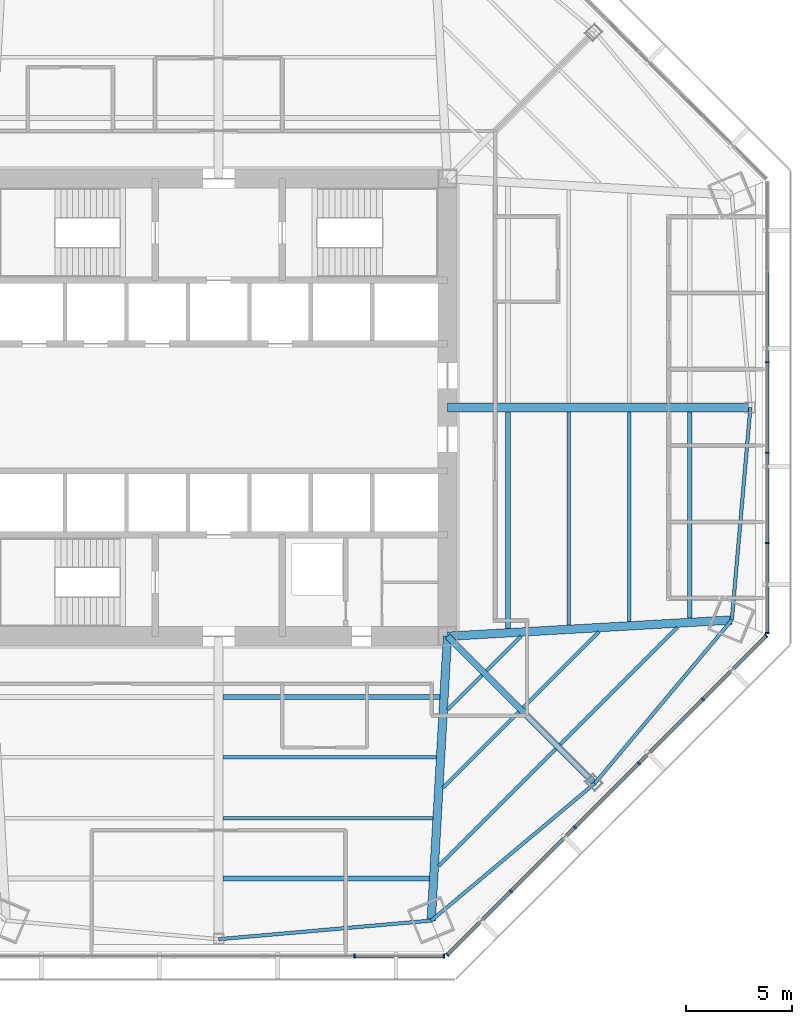
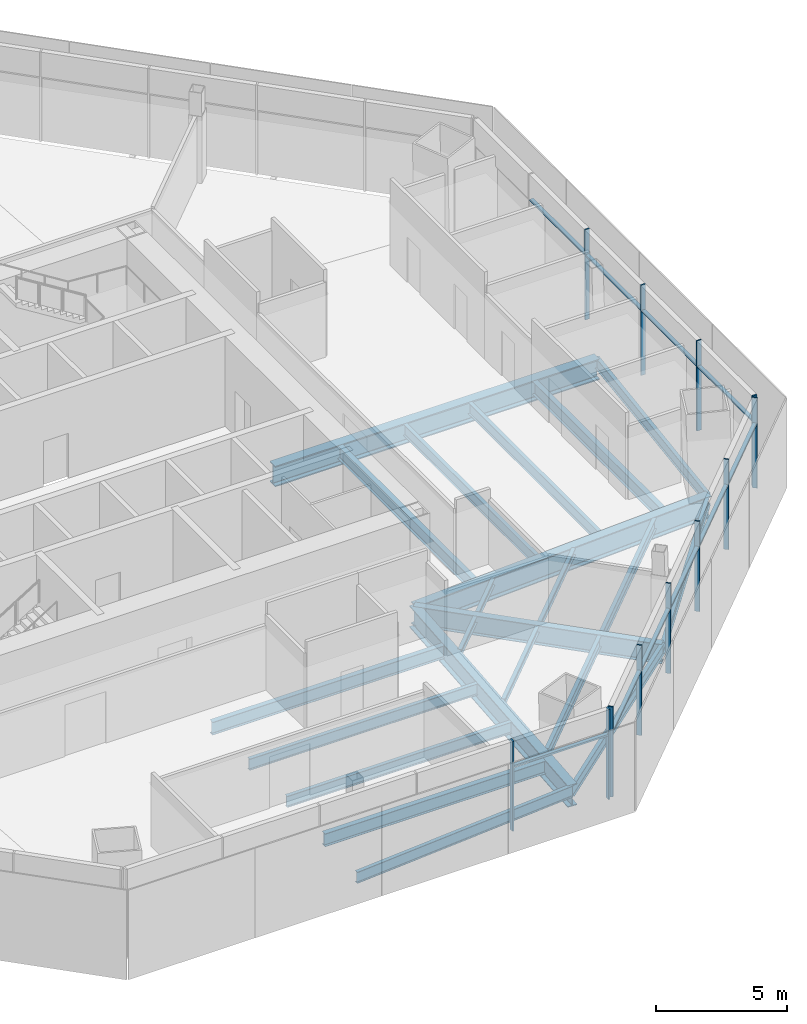
# One storey, part 4 of 15: 22 beams, 22 members, 3 elements without a shape of their own.
"""IFC4 building model written with IfcOpenShell, lengths in metres."""

import ifcopenshell
import ifcopenshell.guid

model = None  # the IFC model being written
_history = None  # IfcOwnerHistory: only IFC2X3 demands one
_inside = {}  # id of a spatial element -> (the spatial element, [elements in it])
_under = {}  # id of a project, library or spatial element -> (it, [spatial elements below it])
_declared = {}  # id of a project -> (the project, [libraries it declares])
_typed = {}  # id of a type object -> (the type object, [elements of that type])
_made_of = {}  # id of a material, layer set ... -> (it, [elements and type objects made of it])


def new_model(schema):
    """Start an empty IFC model of exactly this schema.

    Asked for "IFC4X3", IfcOpenShell would pick the latest addendum, in which some entities
    have other attributes; the version numbers below select the first issue.
    IFC2X3 requires an IfcOwnerHistory on every rooted entity: one is made here for all.
    """
    global model, _history
    if schema == "IFC4X3":
        model = ifcopenshell.file(schema_version=(4, 3, 0, 0))
    else:
        model = ifcopenshell.file(schema=schema)
    _inside.clear()
    _under.clear()
    _declared.clear()
    _typed.clear()
    _made_of.clear()
    _history = None
    if model.schema == "IFC2X3":
        org = make("IfcOrganization", Name="unknown")
        user = make(
            "IfcPersonAndOrganization",
            ThePerson=make("IfcPerson", FamilyName="unknown"),
            TheOrganization=org,
        )
        app = make(
            "IfcApplication",
            ApplicationDeveloper=org,
            Version="unknown",
            ApplicationFullName="unknown",
            ApplicationIdentifier="unknown",
        )
        _history = make(
            "IfcOwnerHistory",
            OwningUser=user,
            OwningApplication=app,
            ChangeAction="ADDED",
            CreationDate=0,
        )
    return model


def make(cls, **values):
    """One entity of the class cls with the attributes given. An attribute that is None is left unset."""
    return model.create_entity(
        cls, **{name: value for name, value in values.items() if value is not None}
    )


def rooted(cls, **values):
    """An entity with a GlobalId (a new one), such as an element, a storey or a relation."""
    return make(cls, GlobalId=ifcopenshell.guid.new(), OwnerHistory=_history, **values)


def si_unit(unit_type, name, prefix=None):
    """IfcSIUnit, for example si_unit("LENGTHUNIT", "METRE", prefix="MILLI")."""
    return make("IfcSIUnit", UnitType=unit_type, Prefix=prefix, Name=name)


def assignment(units):
    """IfcUnitAssignment: the units of a project."""
    return None if units is None else make("IfcUnitAssignment", Units=units)


def point(xyz):
    """IfcCartesianPoint."""
    return None if xyz is None else make("IfcCartesianPoint", Coordinates=xyz)


def direction(xyz):
    """IfcDirection."""
    return None if xyz is None else make("IfcDirection", DirectionRatios=xyz)


def frame(location, z_axis=None, x_axis=None):
    """IfcAxis2Placement3D, a coordinate frame: its origin and axes. An axis left out is left unset."""
    return make(
        "IfcAxis2Placement3D",
        Location=point(location),
        Axis=direction(z_axis),
        RefDirection=direction(x_axis),
    )


def frame_2d(location, x_axis=None):
    """IfcAxis2Placement2D, a coordinate frame in the plane: its origin and x axis."""
    return make(
        "IfcAxis2Placement2D", Location=point(location), RefDirection=direction(x_axis)
    )


def origin():
    """The frame at (0, 0, 0) with its axes left unset."""
    return frame((0.0, 0.0, 0.0))


def origin_2d():
    """The frame at (0, 0) in the plane with its x axis left unset."""
    return frame_2d((0.0, 0.0))


def place(relative_to, where):
    """IfcLocalPlacement: puts the frame where relative to a parent placement (None: the world)."""
    return make(
        "IfcLocalPlacement", PlacementRelTo=relative_to, RelativePlacement=where
    )


def context(
    kind, dimensions, precision=None, world=None, true_north=None, identifier=None
):
    """IfcGeometricRepresentationContext, for example the 3D "Model" context."""
    return make(
        "IfcGeometricRepresentationContext",
        ContextIdentifier=identifier,
        ContextType=kind,
        CoordinateSpaceDimension=dimensions,
        Precision=precision,
        WorldCoordinateSystem=world,
        TrueNorth=true_north,
    )


def subcontext(parent, identifier, kind, view, scale=None):
    """IfcGeometricRepresentationSubContext, for example "Body" below "Model"."""
    return make(
        "IfcGeometricRepresentationSubContext",
        ContextIdentifier=identifier,
        ContextType=kind,
        ParentContext=parent,
        TargetScale=scale,
        TargetView=view,
    )


def project(units=None, contexts=None):
    """IfcProject with its units and contexts."""
    return rooted(
        "IfcProject",
        Name="project",
        RepresentationContexts=contexts,
        UnitsInContext=assignment(units),
    )


def spatial(cls, under=None, at=None, **own):
    """A site, building, storey or space (cls), placed at a placement, below another one or the project."""
    s = rooted(cls, ObjectPlacement=at, **own)
    if under is not None:
        _under.setdefault(under.id(), (under, []))[1].append(s)
    return s


def profile(cls, at=None, kind="AREA", **sizes):
    """A parametric profile (cls). Its sizes go by their IFC names, for example OverallWidth=200.0."""
    return make(cls, ProfileType=kind, Position=at, **sizes)


def rectangle(**sizes):
    """IfcRectangleProfileDef."""
    return profile("IfcRectangleProfileDef", **sizes)


def i_section(**sizes):
    """IfcIShapeProfileDef."""
    return profile("IfcIShapeProfileDef", **sizes)


def extrude(swept, where, along, depth):
    """IfcExtrudedAreaSolid: the profile swept, set in the frame where, extruded along a direction by depth."""
    return make(
        "IfcExtrudedAreaSolid",
        SweptArea=swept,
        Position=where,
        ExtrudedDirection=direction(along),
        Depth=depth,
    )


def shape(context_of_items, identifier, shape_type, items):
    """IfcShapeRepresentation: the items that make up one representation, for example the "Body"."""
    return make(
        "IfcShapeRepresentation",
        ContextOfItems=context_of_items,
        RepresentationIdentifier=identifier,
        RepresentationType=shape_type,
        Items=items,
    )


def source(mapping_origin, context_of_items, identifier, shape_type, items):
    """IfcRepresentationMap: a shape defined once, which mapped items show again and again."""
    return make(
        "IfcRepresentationMap",
        MappingOrigin=mapping_origin,
        MappedRepresentation=shape(context_of_items, identifier, shape_type, items),
    )


def transform(
    local_origin,
    x_axis=None,
    y_axis=None,
    z_axis=None,
    scale=None,
    scale2=None,
    scale3=None,
    uniform=True,
):
    """IfcCartesianTransformationOperator3D, or its non-uniform kind. x_axis, y_axis, z_axis: its Axis1, 2, 3."""
    if uniform:
        return make(
            "IfcCartesianTransformationOperator3D",
            Axis1=direction(x_axis),
            Axis2=direction(y_axis),
            LocalOrigin=point(local_origin),
            Scale=scale,
            Axis3=direction(z_axis),
        )
    return make(
        "IfcCartesianTransformationOperator3DnonUniform",
        Axis1=direction(x_axis),
        Axis2=direction(y_axis),
        LocalOrigin=point(local_origin),
        Scale=scale,
        Axis3=direction(z_axis),
        Scale2=scale2,
        Scale3=scale3,
    )


def mapped(mapping_source, mapping_target):
    """IfcMappedItem: shows the shape of a source again, moved by a transform."""
    return make(
        "IfcMappedItem", MappingSource=mapping_source, MappingTarget=mapping_target
    )


def material(Name=None, Category=None):
    """IfcMaterial."""
    return make("IfcMaterial", Name=Name, Category=Category)


def material_profile(
    of_material, cross_section, Name=None, Category=None, Priority=None
):
    """IfcMaterialProfile: a cross section and its material."""
    return make(
        "IfcMaterialProfile",
        Name=Name,
        Material=of_material,
        Profile=cross_section,
        Priority=Priority,
        Category=Category,
    )


def profile_set(profiles, Name=None, composite=None):
    """IfcMaterialProfileSet."""
    return make(
        "IfcMaterialProfileSet",
        Name=Name,
        MaterialProfiles=profiles,
        CompositeProfile=composite,
    )


def made_of(thing, what):
    """Note that an element or type object is made of a material, layer set ...; save() writes the relation."""
    if what is not None:
        _made_of.setdefault(what.id(), (what, []))[1].append(thing)
    return thing


def type_object(cls, material=None, **own):
    """A type object (cls), such as IfcWallType, which elements share."""
    return made_of(rooted(cls, **own), material)


def type_shapes(of_type, sources):
    """Give a type object the sources (RepresentationMaps) that its elements show as mapped items."""
    of_type.RepresentationMaps = sources


def element(
    cls,
    number,
    at=None,
    inside=None,
    cuts=None,
    type_object=None,
    material=None,
    context=None,
    identifier="Body",
    shape_type=None,
    held_by="IfcProductDefinitionShape",
    body=None,
    shapes=None,
    **own,
):
    """One element of the class cls, such as IfcWall. Its Tag is "e" and its number.

    at: its placement. inside: the storey or other place that contains it. cuts: it is an
    opening in that element (IfcRelVoidsElement). A single representation is given by context,
    identifier, shape_type and body (its items); several are given by shapes. held_by: the class
    of the entity that holds the representations. save() writes the other relations.
    """
    e = rooted(cls, Tag="e%d" % number, ObjectPlacement=at, **own)
    if body is not None:
        shapes = [shape(context, identifier, shape_type, body)]
    if shapes is not None:
        e.Representation = make(held_by, Representations=shapes)
    if inside is not None:
        _inside.setdefault(inside.id(), (inside, []))[1].append(e)
    if cuts is not None:
        rooted(
            "IfcRelVoidsElement", RelatingBuildingElement=cuts, RelatedOpeningElement=e
        )
    if type_object is not None:
        _typed.setdefault(type_object.id(), (type_object, []))[1].append(e)
    return made_of(e, material)


def aggregate(whole, parts):
    """IfcRelAggregates: a whole, such as a stair, and the parts it consists of."""
    return rooted("IfcRelAggregates", RelatingObject=whole, RelatedObjects=parts)


def save(model, path):
    """Write the relations noted so far, then the file.

    IfcRelAggregates (storeys below a building ...), IfcRelContainedInSpatialStructure (elements
    in a storey), IfcRelDefinesByType, IfcRelAssociatesMaterial and IfcRelDeclares: one each for
    every whole, place, type object, material and project.
    """
    for whole, parts in _under.values():
        aggregate(whole, parts)
    for where, things in _inside.values():
        rooted(
            "IfcRelContainedInSpatialStructure",
            RelatedElements=things,
            RelatingStructure=where,
        )
    for kind, things in _typed.values():
        rooted("IfcRelDefinesByType", RelatedObjects=things, RelatingType=kind)
    for what, things in _made_of.values():
        rooted("IfcRelAssociatesMaterial", RelatedObjects=things, RelatingMaterial=what)
    for by, libraries in _declared.values():
        rooted("IfcRelDeclares", RelatingContext=by, RelatedDefinitions=libraries)
    model.write(path)


model = new_model("IFC4")

# Units and contexts
model_context = context("Model", 3, precision=1e-05, world=origin(), true_north=direction((0.0, 1.0)))
body_context = subcontext(model_context, "Body", "Model", "MODEL_VIEW")
ifc_project = project(units=[si_unit("LENGTHUNIT", "METRE"), si_unit("AREAUNIT", "SQUARE_METRE"), si_unit("VOLUMEUNIT", "CUBIC_METRE"), si_unit("PLANEANGLEUNIT", "RADIAN"), si_unit("MASSUNIT", "GRAM", prefix="KILO")], contexts=[model_context])

# Site, building, storey
site_placement = place(None, origin())
site = spatial("IfcSite", under=ifc_project, at=site_placement, CompositionType="ELEMENT")
building_placement = place(site_placement, origin())
building = spatial("IfcBuilding", under=site, at=building_placement, Name="Mashrafa Tower", CompositionType="ELEMENT")
storey_placement = place(building_placement, frame((0.0, 0.0, 75.0)))
storey = spatial("IfcBuildingStorey", under=building, at=storey_placement, Name="L16", CompositionType="ELEMENT", Elevation=75.0)

# Beams
ifc_material_1 = material(Name="Steel ASTM A992", Category="steel")
ifc_material_profile_1 = material_profile(ifc_material_1, i_section(OverallWidth=0.164794921875, OverallDepth=0.309814453125, WebThickness=0.005859375, FlangeThickness=0.009765625, FilletRadius=0.007568359375, at=origin_2d()), Name="W12X26")
ifc_profile_set_1 = profile_set([ifc_material_profile_1], Name="Steel ASTM A992")
beam_type_1 = type_object("IfcBeamType", Name="Beam W12X26", PredefinedType="BEAM", material=ifc_profile_set_1)
beam_1_placement = place(storey_placement, frame((12.428955078125, -12.64453125, -0.31982421875), z_axis=(-0.707106781187, -0.707106781187, 0.0), x_axis=(0.707106781187, -0.707106781187, 0.0)))
element("IfcBeam", 1, at=beam_1_placement, inside=storey, type_object=beam_type_1, Name="Floor beam L16 040", PredefinedType="BEAM", context=body_context, shape_type="SweptSolid", body=[
    extrude(i_section(OverallWidth=0.164794921875, OverallDepth=0.309814453125, WebThickness=0.005859375, FlangeThickness=0.009765625, FilletRadius=0.007568359375, at=origin_2d()), origin(), (0.0, 0.0, 1.0), 2.300048828125),
])
beam_2_placement = place(storey_placement, frame((14.16552734375, -14.381103515625, -0.31982421875), z_axis=(-0.707106781187, -0.707106781187, 0.0), x_axis=(0.707106781187, -0.707106781187, 0.0)))
element("IfcBeam", 2, at=beam_2_placement, inside=storey, type_object=beam_type_1, Name="Floor beam L16 044", PredefinedType="BEAM", context=body_context, shape_type="SweptSolid", body=[
    extrude(i_section(OverallWidth=0.164794921875, OverallDepth=0.309814453125, WebThickness=0.005859375, FlangeThickness=0.009765625, FilletRadius=0.007568359375, at=origin_2d()), origin(), (0.0, 0.0, 1.0), 5.054443359375),
])
beam_3_placement = place(storey_placement, frame((14.27099609375, -10.802490234375, -0.31982421875), z_axis=(-0.707106781187, -0.707106781187, 0.0), x_axis=(0.707106781187, -0.707106781187, 0.0)))
element("IfcBeam", 3, at=beam_3_placement, inside=storey, type_object=beam_type_1, Name="Floor beam L16 046", PredefinedType="BEAM", context=body_context, shape_type="SweptSolid", body=[
    extrude(i_section(OverallWidth=0.164794921875, OverallDepth=0.309814453125, WebThickness=0.005859375, FlangeThickness=0.009765625, FilletRadius=0.007568359375, at=origin_2d()), origin(), (0.0, 0.0, 1.0), 2.300048828125),
])
beam_4_placement = place(storey_placement, frame((17.955078125, -10.591552734375, -0.31982421875), z_axis=(-0.707106781187, -0.707106781187, 0.0), x_axis=(0.707106781187, -0.707106781187, 0.0)))
element("IfcBeam", 4, at=beam_4_placement, inside=storey, type_object=beam_type_1, Name="Floor beam L16 051", PredefinedType="BEAM", context=body_context, shape_type="SweptSolid", body=[
    extrude(i_section(OverallWidth=0.164794921875, OverallDepth=0.309814453125, WebThickness=0.005859375, FlangeThickness=0.009765625, FilletRadius=0.007568359375, at=origin_2d()), origin(), (0.0, 0.0, 1.0), 5.054443359375),
])
ifc_material_2 = material(Name="Steel ASTM A992", Category="steel")
ifc_material_profile_2 = material_profile(ifc_material_2, i_section(OverallWidth=0.165771484375, OverallDepth=0.5283203125, WebThickness=0.009765625, FlangeThickness=0.013671875, FilletRadius=0.012939453125, at=origin_2d()), Name="W21X50")
ifc_profile_set_2 = profile_set([ifc_material_profile_2], Name="Steel ASTM A992")
beam_type_2 = type_object("IfcBeamType", Name="Beam W21X50", PredefinedType="BEAM", material=ifc_profile_set_2)
beam_5_placement = place(storey_placement, frame((10.108154296875, -19.378662109375, -0.42919921875), z_axis=(-1.0, 0.0, 0.0), x_axis=(0.0, -1.0, 0.0)))
element("IfcBeam", 5, at=beam_5_placement, inside=storey, type_object=beam_type_2, Name="Floor beam L16 035", PredefinedType="BEAM", context=body_context, shape_type="SweptSolid", body=[
    extrude(i_section(OverallWidth=0.165771484375, OverallDepth=0.5283203125, WebThickness=0.009765625, FlangeThickness=0.013671875, FilletRadius=0.012939453125, at=origin_2d()), origin(), (0.0, 0.0, 1.0), 9.89599609375),
])
beam_6_placement = place(storey_placement, frame((10.271728515625, -16.51904296875, -0.42919921875), z_axis=(-1.0, 0.0, 0.0), x_axis=(0.0, -1.0, 0.0)))
element("IfcBeam", 6, at=beam_6_placement, inside=storey, type_object=beam_type_2, Name="Floor beam L16 037", PredefinedType="BEAM", context=body_context, shape_type="SweptSolid", body=[
    extrude(i_section(OverallWidth=0.165771484375, OverallDepth=0.5283203125, WebThickness=0.009765625, FlangeThickness=0.013671875, FilletRadius=0.012939453125, at=origin_2d()), origin(), (0.0, 0.0, 1.0), 10.0595703125),
])
beam_7_placement = place(storey_placement, frame((15.90234375, -16.117919921875, -0.42919921875), z_axis=(-0.707122413556, -0.707091148472, 0.0), x_axis=(0.707091148472, -0.707122413556, 0.0)))
element("IfcBeam", 7, at=beam_7_placement, inside=storey, type_object=beam_type_2, Name="Floor beam L16 047", PredefinedType="BEAM", context=body_context, shape_type="SweptSolid", body=[
    extrude(i_section(OverallWidth=0.165771484375, OverallDepth=0.5283203125, WebThickness=0.009765625, FlangeThickness=0.013671875, FilletRadius=0.012939453125, at=origin_2d()), origin(), (0.0, 0.0, 1.0), 7.808837890625),
])
beam_8_placement = place(storey_placement, frame((16.51904296875, -0.212158203125, -0.42919921875), z_axis=(0.0, -1.0, 0.0), x_axis=(1.0, 0.0, 0.0)))
element("IfcBeam", 8, at=beam_8_placement, inside=storey, type_object=beam_type_2, Name="Floor beam L16 049", PredefinedType="BEAM", context=body_context, shape_type="SweptSolid", body=[
    extrude(i_section(OverallWidth=0.165771484375, OverallDepth=0.5283203125, WebThickness=0.009765625, FlangeThickness=0.013671875, FilletRadius=0.012939453125, at=origin_2d()), origin(), (0.0, 0.0, 1.0), 10.0595703125),
])
beam_9_placement = place(storey_placement, frame((19.378662109375, -0.212158203125, -0.42919921875), z_axis=(0.0, -1.0, 0.0), x_axis=(1.0, 0.0, 0.0)))
element("IfcBeam", 9, at=beam_9_placement, inside=storey, type_object=beam_type_2, Name="Floor beam L16 052", PredefinedType="BEAM", context=body_context, shape_type="SweptSolid", body=[
    extrude(i_section(OverallWidth=0.165771484375, OverallDepth=0.5283203125, WebThickness=0.009765625, FlangeThickness=0.013671875, FilletRadius=0.012939453125, at=origin_2d()), origin(), (0.0, 0.0, 1.0), 9.89599609375),
])
beam_10_placement = place(storey_placement, frame((21.639404296875, -10.380615234375, -0.42919921875), z_axis=(-0.707091148472, -0.707122413556, 0.0), x_axis=(0.707122413556, -0.707091148472, 0.0)))
element("IfcBeam", 10, at=beam_10_placement, inside=storey, type_object=beam_type_2, Name="Floor beam L16 054", PredefinedType="BEAM", context=body_context, shape_type="SweptSolid", body=[
    extrude(i_section(OverallWidth=0.165771484375, OverallDepth=0.5283203125, WebThickness=0.009765625, FlangeThickness=0.013671875, FilletRadius=0.012939453125, at=origin_2d()), origin(), (0.0, 0.0, 1.0), 7.808837890625),
])
beam_11_placement = place(storey_placement, frame((0.0, -25.09765625, -0.42919921875), z_axis=(0.996190480079, 0.087203941419, 0.0), x_axis=(-0.087203941419, 0.996190480079, 0.0)))
element("IfcBeam", 11, at=beam_11_placement, inside=storey, type_object=beam_type_2, Name="Spandrel beam L16 080", PredefinedType="BEAM", context=body_context, shape_type="SweptSolid", body=[
    extrude(i_section(OverallWidth=0.165771484375, OverallDepth=0.5283203125, WebThickness=0.009765625, FlangeThickness=0.013671875, FilletRadius=0.012939453125, at=origin_2d()), origin(), (0.0, 0.0, 1.0), 10.0703125),
])
for number, where, z_axis, x_axis, name in (
    (12, (10.031982421875, -24.219482421875, -0.42919921875), (0.766086799727, 0.642737127669, 0.0), (-0.642737127669, 0.766086799727, 0.0), "Spandrel beam L16 082"),
    (13, (17.746826171875, -17.746826171875, -0.42919921875), (0.642737127669, 0.766086799727, 0.0), (-0.766086799727, 0.642737127669, 0.0), "Spandrel beam L16 084"),
):
    element("IfcBeam", number, at=place(storey_placement, frame(where, z_axis=z_axis, x_axis=x_axis)), inside=storey, type_object=beam_type_2, Name=name, PredefinedType="BEAM", context=body_context, shape_type="SweptSolid", body=[
        extrude(i_section(OverallWidth=0.165771484375, OverallDepth=0.5283203125, WebThickness=0.009765625, FlangeThickness=0.013671875, FilletRadius=0.012939453125, at=origin_2d()), origin(), (0.0, 0.0, 1.0), 10.070556640625),
    ])
beam_12_placement = place(storey_placement, frame((24.219482421875, -10.031982421875, -0.42919921875), z_axis=(0.087203941419, 0.996190480079, 0.0), x_axis=(-0.996190480079, 0.087203941419, 0.0)))
element("IfcBeam", 14, at=beam_12_placement, inside=storey, type_object=beam_type_2, Name="Spandrel beam L16 086", PredefinedType="BEAM", context=body_context, shape_type="SweptSolid", body=[
    extrude(i_section(OverallWidth=0.165771484375, OverallDepth=0.5283203125, WebThickness=0.009765625, FlangeThickness=0.013671875, FilletRadius=0.012939453125, at=origin_2d()), origin(), (0.0, 0.0, 1.0), 10.0703125),
])
ifc_material_3 = material(Name="Steel ASTM A992", Category="steel")
ifc_material_profile_3 = material_profile(ifc_material_3, i_section(OverallWidth=0.227783203125, OverallDepth=0.60205078125, WebThickness=0.010498046875, FlangeThickness=0.014892578125, FilletRadius=0.012939453125, at=origin_2d()), Name="W24X68")
ifc_profile_set_3 = profile_set([ifc_material_profile_3], Name="Steel ASTM A992")
beam_type_3 = type_object("IfcBeamType", Name="Beam W24X68", PredefinedType="BEAM", material=ifc_profile_set_3)
beam_13_placement = place(storey_placement, frame((9.944580078125, -22.23828125, -0.466064453125), z_axis=(-1.0, 0.0, 0.0), x_axis=(0.0, -1.0, 0.0)))
element("IfcBeam", 15, at=beam_13_placement, inside=storey, type_object=beam_type_3, Name="Floor beam L16 033", PredefinedType="BEAM", context=body_context, shape_type="SweptSolid", body=[
    extrude(i_section(OverallWidth=0.227783203125, OverallDepth=0.60205078125, WebThickness=0.010498046875, FlangeThickness=0.014892578125, FilletRadius=0.012939453125, at=origin_2d()), origin(), (0.0, 0.0, 1.0), 9.732421875),
])
for number, where, z_axis, x_axis, name in (
    (16, (10.435302734375, -13.659423828125, -0.466064453125), (-1.0, 0.0, 0.0), (0.0, -1.0, 0.0), "Floor beam L16 039"),
    (17, (13.659423828125, -0.212158203125, -0.466064453125), (0.0, -1.0, 0.0), (1.0, 0.0, 0.0), "Floor beam L16 042"),
):
    element("IfcBeam", number, at=place(storey_placement, frame(where, z_axis=z_axis, x_axis=x_axis)), inside=storey, type_object=beam_type_3, Name=name, PredefinedType="BEAM", context=body_context, shape_type="SweptSolid", body=[
        extrude(i_section(OverallWidth=0.227783203125, OverallDepth=0.60205078125, WebThickness=0.010498046875, FlangeThickness=0.014892578125, FilletRadius=0.012939453125, at=origin_2d()), origin(), (0.0, 0.0, 1.0), 10.22314453125),
    ])
beam_14_placement = place(storey_placement, frame((22.23828125, -0.212158203125, -0.466064453125), z_axis=(0.0, -1.0, 0.0), x_axis=(1.0, 0.0, 0.0)))
element("IfcBeam", 18, at=beam_14_placement, inside=storey, type_object=beam_type_3, Name="Floor beam L16 055", PredefinedType="BEAM", context=body_context, shape_type="SweptSolid", body=[
    extrude(i_section(OverallWidth=0.227783203125, OverallDepth=0.60205078125, WebThickness=0.010498046875, FlangeThickness=0.014892578125, FilletRadius=0.012939453125, at=origin_2d()), origin(), (0.0, 0.0, 1.0), 9.732421875),
])
ifc_material_4 = material(Name="Steel ASTM A992", Category="steel")
ifc_material_profile_4 = material_profile(ifc_material_4, i_section(OverallWidth=0.3046875, OverallDepth=0.911865234375, WebThickness=0.015869140625, FlangeThickness=0.02392578125, FilletRadius=0.01904296875, at=origin_2d()), Name="W36X150")
ifc_profile_set_4 = profile_set([ifc_material_profile_4], Name="Steel ASTM A992")
beam_type_4 = type_object("IfcBeamType", Name="Beam W36X150", PredefinedType="BEAM", material=ifc_profile_set_4)
beam_15_placement = place(storey_placement, frame((10.800048828125, -10.800048828125, -0.620849609375), z_axis=(0.707106781187, -0.707106781187, 0.0), x_axis=(0.707106781187, 0.707106781187, 0.0)))
element("IfcBeam", 19, at=beam_15_placement, inside=storey, type_object=beam_type_4, Name="Radial girder L16 067", PredefinedType="BEAM", context=body_context, shape_type="SweptSolid", body=[
    extrude(i_section(OverallWidth=0.3046875, OverallDepth=0.911865234375, WebThickness=0.015869140625, FlangeThickness=0.02392578125, FilletRadius=0.01904296875, at=origin_2d()), origin(), (0.0, 0.0, 1.0), 9.82421875),
])
ifc_material_5 = material(Name="Steel ASTM A992", Category="steel")
ifc_material_profile_5 = material_profile(ifc_material_5, i_section(OverallWidth=0.424072265625, OverallDepth=0.960205078125, WebThickness=0.028564453125, FlangeThickness=0.051025390625, FilletRadius=0.02001953125, at=origin_2d()), Name="W36X361")
ifc_profile_set_5 = profile_set([ifc_material_profile_5], Name="Steel ASTM A992")
beam_type_5 = type_object("IfcBeamType", Name="Beam W36X361", PredefinedType="BEAM", material=ifc_profile_set_5)
beam_16_placement = place(storey_placement, frame((10.800048828125, 0.0, -0.64501953125), z_axis=(1.0, 0.0, 0.0), x_axis=(0.0, 1.0, 0.0)))
element("IfcBeam", 20, at=beam_16_placement, inside=storey, type_object=beam_type_5, Name="Radial girder L16 069", PredefinedType="BEAM", context=body_context, shape_type="SweptSolid", body=[
    extrude(i_section(OverallWidth=0.424072265625, OverallDepth=0.960205078125, WebThickness=0.028564453125, FlangeThickness=0.051025390625, FilletRadius=0.02001953125, at=origin_2d()), origin(), (0.0, 0.0, 1.0), 14.297607421875),
])
ifc_material_6 = material(Name="Steel ASTM A992", Category="steel")
ifc_material_profile_6 = material_profile(ifc_material_6, i_section(OverallWidth=0.4013671875, OverallDepth=1.010986328125, WebThickness=0.023681640625, FlangeThickness=0.0419921875, FilletRadius=0.02001953125, at=origin_2d()), Name="W40X297")
ifc_profile_set_6 = profile_set([ifc_material_profile_6], Name="Steel ASTM A992")
beam_type_6 = type_object("IfcBeamType", Name="Beam W40X297", PredefinedType="BEAM", material=ifc_profile_set_6)
for number, where, z_axis, x_axis, name in (
    (21, (10.800048828125, -10.800048828125, -0.67041015625), (-0.0571418632, -0.99836606887, 0.0), (0.99836606887, -0.0571418632, 0.0), "Radial girder L16 066"),
    (22, (10.800048828125, -10.800048828125, -0.67041015625), (0.99836606887, 0.0571418632, 0.0), (-0.0571418632, 0.99836606887, 0.0), "Radial girder L16 068"),
):
    element("IfcBeam", number, at=place(storey_placement, frame(where, z_axis=z_axis, x_axis=x_axis)), inside=storey, type_object=beam_type_6, Name=name, PredefinedType="BEAM", context=body_context, shape_type="SweptSolid", body=[
        extrude(i_section(OverallWidth=0.4013671875, OverallDepth=1.010986328125, WebThickness=0.023681640625, FlangeThickness=0.0419921875, FilletRadius=0.02001953125, at=origin_2d()), origin(), (0.0, 0.0, 1.0), 13.44140625),
    ])

# Curtain wall, members
ifc_material_7 = material(Name="Unitised aluminium curtain wall", Category="aluminium")
curtain_wall_type = type_object("IfcCurtainWallType", Name="Office curtain wall, zone 1 CW-A 200 deep", PredefinedType="NOTDEFINED", material=ifc_material_7)
curtain_wall_1_placement = place(storey_placement, origin())
curtain_wall_1 = element("IfcCurtainWall", 23, at=curtain_wall_1_placement, inside=storey, type_object=curtain_wall_type, Name="Office curtain wall, zone 1 L16 east", PredefinedType="NOTDEFINED")
ifc_material_8 = material(Name="Extruded aluminium mullion", Category="aluminium")
ifc_material_profile_7 = material_profile(ifc_material_8, rectangle(XDim=0.199951171875, YDim=0.06494140625, at=origin_2d()), Name="Mullion 65x200")
ifc_profile_set_7 = profile_set([ifc_material_profile_7], Name="Extruded aluminium mullion")
member_type_1 = type_object("IfcMemberType", Name="Mullion CW-A 65 x 200", PredefinedType="MULLION", material=ifc_profile_set_7)
shared_shape_1 = source(origin(), body_context, "Body", "SweptSolid", [
    extrude(rectangle(XDim=0.199951171875, YDim=0.06494140625, at=origin_2d()), origin(), (0.0, 0.0, 1.0), 4.199951171875),
])
type_shapes(member_type_1, [shared_shape_1])
member_1_placement = place(storey_placement, frame((25.89306640625, -10.641357421875, 0.0), z_axis=(0.0, 0.0, 1.0), x_axis=(-1.0, 0.0, 0.0)))
member_1 = element("IfcMember", 24, at=member_1_placement, type_object=member_type_1, Name="CW-A mullion 1", PredefinedType="MULLION", context=body_context, shape_type="MappedRepresentation", body=[
    mapped(shared_shape_1, transform((0.0, 0.0, 0.0))),
])
member_2_placement = place(storey_placement, frame((25.89306640625, -6.404296875, 0.0), z_axis=(0.0, 0.0, 1.0), x_axis=(-1.0, 0.0, 0.0)))
member_2 = element("IfcMember", 25, at=member_2_placement, type_object=member_type_1, Name="CW-A mullion 2", PredefinedType="MULLION", context=body_context, shape_type="MappedRepresentation", body=[
    mapped(shared_shape_1, transform((0.0, 0.0, 0.0))),
])
member_3_placement = place(storey_placement, frame((25.89306640625, -2.134765625, 0.0), z_axis=(0.0, 0.0, 1.0), x_axis=(-1.0, 0.0, 0.0)))
member_3 = element("IfcMember", 26, at=member_3_placement, type_object=member_type_1, Name="CW-A mullion 3", PredefinedType="MULLION", context=body_context, shape_type="MappedRepresentation", body=[
    mapped(shared_shape_1, transform((0.0, 0.0, 0.0))),
])
member_4_placement = place(storey_placement, frame((25.89306640625, 2.134765625, 0.0), z_axis=(0.0, 0.0, 1.0), x_axis=(-1.0, 0.0, 0.0)))
member_4 = element("IfcMember", 27, at=member_4_placement, type_object=member_type_1, Name="CW-A mullion 4", PredefinedType="MULLION", context=body_context, shape_type="MappedRepresentation", body=[
    mapped(shared_shape_1, transform((0.0, 0.0, 0.0))),
])

curtain_wall_2_placement = place(storey_placement, origin())
curtain_wall_2 = element("IfcCurtainWall", 28, at=curtain_wall_2_placement, inside=storey, type_object=curtain_wall_type, Name="Office curtain wall, zone 1 L16 south", PredefinedType="NOTDEFINED")
member_5_placement = place(storey_placement, frame((6.404296875, -25.89306640625, 0.0), z_axis=(0.0, 0.0, 1.0), x_axis=(0.0, 1.0, 0.0)))
member_5 = element("IfcMember", 29, at=member_5_placement, type_object=member_type_1, Name="CW-A mullion 5", PredefinedType="MULLION", context=body_context, shape_type="MappedRepresentation", body=[
    mapped(shared_shape_1, transform((0.0, 0.0, 0.0))),
])
member_6_placement = place(storey_placement, frame((10.641357421875, -25.89306640625, 0.0), z_axis=(0.0, 0.0, 1.0), x_axis=(0.0, 1.0, 0.0)))
member_6 = element("IfcMember", 30, at=member_6_placement, type_object=member_type_1, Name="CW-A mullion 6", PredefinedType="MULLION", context=body_context, shape_type="MappedRepresentation", body=[
    mapped(shared_shape_1, transform((0.0, 0.0, 0.0))),
])

curtain_wall_3_placement = place(storey_placement, origin())
curtain_wall_3 = element("IfcCurtainWall", 31, at=curtain_wall_3_placement, inside=storey, type_object=curtain_wall_type, Name="Office curtain wall, zone 1 L16 south-east", PredefinedType="NOTDEFINED")
member_7_placement = place(storey_placement, frame((10.78466796875, -25.833740234375, 0.0), z_axis=(0.0, 0.0, 1.0), x_axis=(-0.707106781187, 0.707106781187, 0.0)))
member_7 = element("IfcMember", 32, at=member_7_placement, type_object=member_type_1, Name="CW-A mullion 1", PredefinedType="MULLION", context=body_context, shape_type="MappedRepresentation", body=[
    mapped(shared_shape_1, transform((0.0, 0.0, 0.0))),
])
member_8_placement = place(storey_placement, frame((13.780517578125, -22.837646484375, 0.0), z_axis=(0.0, 0.0, 1.0), x_axis=(-0.707106781187, 0.707106781187, 0.0)))
member_8 = element("IfcMember", 33, at=member_8_placement, type_object=member_type_1, Name="CW-A mullion 2", PredefinedType="MULLION", context=body_context, shape_type="MappedRepresentation", body=[
    mapped(shared_shape_1, transform((0.0, 0.0, 0.0))),
])
member_9_placement = place(storey_placement, frame((16.799560546875, -19.818603515625, 0.0), z_axis=(0.0, 0.0, 1.0), x_axis=(-0.707106781187, 0.707106781187, 0.0)))
member_9 = element("IfcMember", 34, at=member_9_placement, type_object=member_type_1, Name="CW-A mullion 3", PredefinedType="MULLION", context=body_context, shape_type="MappedRepresentation", body=[
    mapped(shared_shape_1, transform((0.0, 0.0, 0.0))),
])
member_10_placement = place(storey_placement, frame((19.818603515625, -16.799560546875, 0.0), z_axis=(0.0, 0.0, 1.0), x_axis=(-0.707106781187, 0.707106781187, 0.0)))
member_10 = element("IfcMember", 35, at=member_10_placement, type_object=member_type_1, Name="CW-A mullion 4", PredefinedType="MULLION", context=body_context, shape_type="MappedRepresentation", body=[
    mapped(shared_shape_1, transform((0.0, 0.0, 0.0))),
])
member_11_placement = place(storey_placement, frame((22.837646484375, -13.780517578125, 0.0), z_axis=(0.0, 0.0, 1.0), x_axis=(-0.707106781187, 0.707106781187, 0.0)))
member_11 = element("IfcMember", 36, at=member_11_placement, type_object=member_type_1, Name="CW-A mullion 5", PredefinedType="MULLION", context=body_context, shape_type="MappedRepresentation", body=[
    mapped(shared_shape_1, transform((0.0, 0.0, 0.0))),
])
member_12_placement = place(storey_placement, frame((25.833740234375, -10.78466796875, 0.0), z_axis=(0.0, 0.0, 1.0), x_axis=(-0.707106781187, 0.707106781187, 0.0)))
member_12 = element("IfcMember", 37, at=member_12_placement, type_object=member_type_1, Name="CW-A mullion 6", PredefinedType="MULLION", context=body_context, shape_type="MappedRepresentation", body=[
    mapped(shared_shape_1, transform((0.0, 0.0, 0.0))),
])

# Member
ifc_material_9 = material(Name="Extruded aluminium transom", Category="aluminium")
ifc_material_profile_8 = material_profile(ifc_material_9, rectangle(XDim=0.159912109375, YDim=0.080078125, at=origin_2d()), Name="Transom 80x160")
ifc_profile_set_8 = profile_set([ifc_material_profile_8], Name="Extruded aluminium transom")
member_type_2 = type_object("IfcMemberType", Name="Transom CW-A 80 x 160", PredefinedType="MULLION", material=ifc_profile_set_8)
shared_shape_2 = source(origin(), body_context, "Body", "SweptSolid", [
    extrude(rectangle(XDim=0.159912109375, YDim=0.080078125, at=origin_2d()), origin(), (0.0, 0.0, 1.0), 4.172119140625),
])
member_13_placement = place(storey_placement, frame((25.89306640625, -10.60888671875, 3.0), z_axis=(0.0, 1.0, 0.0), x_axis=(-1.0, 0.0, 0.0)))
member_13 = element("IfcMember", 38, at=member_13_placement, type_object=member_type_2, Name="CW-A transom 1", PredefinedType="MULLION", context=body_context, shape_type="MappedRepresentation", body=[
    mapped(shared_shape_2, transform((0.0, 0.0, 0.0))),
])

member_14_placement = place(storey_placement, frame((6.436767578125, -25.89306640625, 3.0), z_axis=(1.0, 0.0, 0.0), x_axis=(0.0, 1.0, 0.0)))
member_14 = element("IfcMember", 39, at=member_14_placement, type_object=member_type_2, Name="CW-A transom 5", PredefinedType="MULLION", context=body_context, shape_type="MappedRepresentation", body=[
    mapped(shared_shape_2, transform((0.0, 0.0, 0.0))),
])

aggregate(curtain_wall_2, [member_5, member_6, member_14])

member_15_placement = place(storey_placement, frame((10.8076171875, -25.810791015625, 3.0), z_axis=(0.707077521394, 0.707136039769, 0.0), x_axis=(-0.707136039769, 0.707077521394, 0.0)))
member_15 = element("IfcMember", 40, at=member_15_placement, type_object=member_type_2, Name="CW-A transom 1", PredefinedType="MULLION", context=body_context, shape_type="MappedRepresentation", body=[
    mapped(shared_shape_2, transform((0.0, 0.0, 0.0))),
])

member_16_placement = place(storey_placement, frame((22.860595703125, -13.757568359375, 3.0), z_axis=(0.707136039769, 0.707077521394, 0.0), x_axis=(-0.707077521394, 0.707136039769, 0.0)))
member_16 = element("IfcMember", 41, at=member_16_placement, type_object=member_type_2, Name="CW-A transom 5", PredefinedType="MULLION", context=body_context, shape_type="MappedRepresentation", body=[
    mapped(shared_shape_2, transform((0.0, 0.0, 0.0))),
])

shared_shape_3 = source(origin(), body_context, "Body", "SweptSolid", [
    extrude(rectangle(XDim=0.159912109375, YDim=0.080078125, at=origin_2d()), origin(), (0.0, 0.0, 1.0), 4.20458984375),
])
member_17_placement = place(storey_placement, frame((25.89306640625, -6.371826171875, 3.0), z_axis=(0.0, 1.0, 0.0), x_axis=(-1.0, 0.0, 0.0)))
member_17 = element("IfcMember", 42, at=member_17_placement, type_object=member_type_2, Name="CW-A transom 2", PredefinedType="MULLION", context=body_context, shape_type="MappedRepresentation", body=[
    mapped(shared_shape_3, transform((0.0, 0.0, 0.0))),
])

member_18_placement = place(storey_placement, frame((25.89306640625, -2.102294921875, 3.0), z_axis=(0.0, 1.0, 0.0), x_axis=(-1.0, 0.0, 0.0)))
member_18 = element("IfcMember", 43, at=member_18_placement, type_object=member_type_2, Name="CW-A transom 3", PredefinedType="MULLION", context=body_context, shape_type="MappedRepresentation", body=[
    mapped(shared_shape_3, transform((0.0, 0.0, 0.0))),
])

member_19_placement = place(storey_placement, frame((25.89306640625, 2.167236328125, 3.0), z_axis=(0.0, 1.0, 0.0), x_axis=(-1.0, 0.0, 0.0)))
member_19 = element("IfcMember", 44, at=member_19_placement, type_object=member_type_2, Name="CW-A transom 4", PredefinedType="MULLION", context=body_context, shape_type="MappedRepresentation", body=[
    mapped(shared_shape_3, transform((0.0, 0.0, 0.0))),
])

aggregate(curtain_wall_1, [member_1, member_2, member_3, member_4, member_13, member_17, member_18, member_19])

member_20_placement = place(storey_placement, frame((13.8037109375, -22.814697265625, 3.0), z_axis=(0.707077747259, 0.707135813922, 0.0), x_axis=(-0.707135813922, 0.707077747259, 0.0)))
member_20 = element("IfcMember", 45, at=member_20_placement, type_object=member_type_2, Name="CW-A transom 2", PredefinedType="MULLION", context=body_context, shape_type="MappedRepresentation", body=[
    mapped(shared_shape_3, transform((0.0, 0.0, 0.0))),
])

member_21_placement = place(storey_placement, frame((19.841552734375, -16.776611328125, 3.0), z_axis=(0.707135813922, 0.707077747259, 0.0), x_axis=(-0.707077747259, 0.707135813922, 0.0)))
member_21 = element("IfcMember", 46, at=member_21_placement, type_object=member_type_2, Name="CW-A transom 4", PredefinedType="MULLION", context=body_context, shape_type="MappedRepresentation", body=[
    mapped(shared_shape_3, transform((0.0, 0.0, 0.0))),
])

shared_shape_4 = source(origin(), body_context, "Body", "SweptSolid", [
    extrude(rectangle(XDim=0.159912109375, YDim=0.080078125, at=origin_2d()), origin(), (0.0, 0.0, 1.0), 4.204345703125),
])
type_shapes(member_type_2, [shared_shape_2, shared_shape_3, shared_shape_4])
member_22_placement = place(storey_placement, frame((16.82275390625, -19.795654296875, 3.0), z_axis=(0.707106781187, 0.707106781187, 0.0), x_axis=(-0.707106781187, 0.707106781187, 0.0)))
member_22 = element("IfcMember", 47, at=member_22_placement, type_object=member_type_2, Name="CW-A transom 3", PredefinedType="MULLION", context=body_context, shape_type="MappedRepresentation", body=[
    mapped(shared_shape_4, transform((0.0, 0.0, 0.0))),
])

aggregate(curtain_wall_3, [member_7, member_8, member_9, member_10, member_11, member_12, member_15, member_20, member_22, member_21, member_16])

save(model, "model.ifc")
